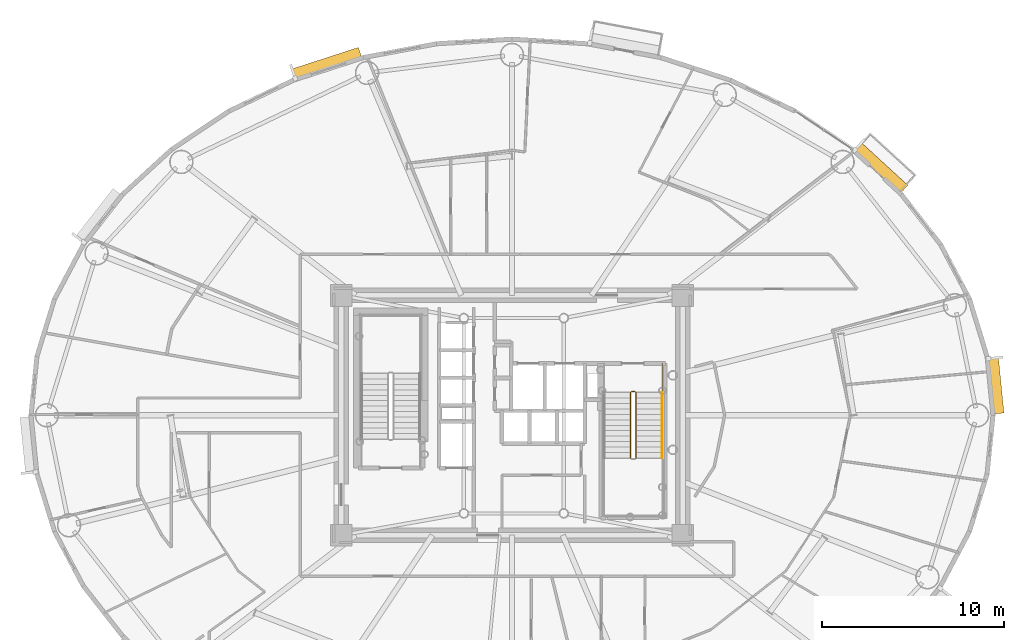
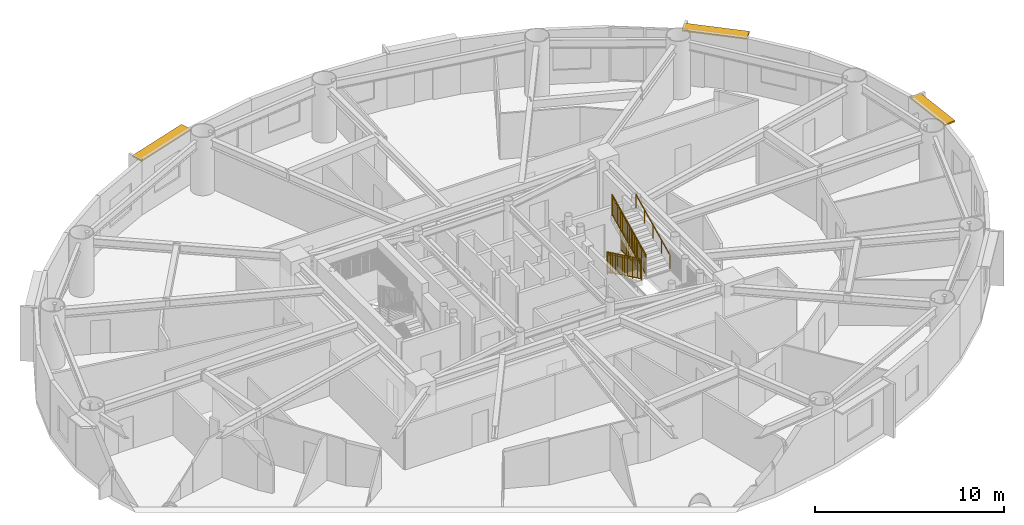
# One storey, part 20 of 21: 5 railings, 3 shading devices.
"""IFC4 building model written with IfcOpenShell, lengths in metres."""

from ifc_helpers import new_model, si_unit, direction, frame, origin, origin_2d, place, context, subcontext, project, spatial, rectangle, extrude, source, transform, mapped, material, layer, layer_set, type_object, element, save


model = new_model("IFC4")

# Units and contexts
model_context = context("Model", 3, precision=1e-05, world=origin(), true_north=direction((0.0, 1.0)))
body_context = subcontext(model_context, "Body", "Model", "MODEL_VIEW")
ifc_project = project(units=[si_unit("LENGTHUNIT", "METRE"), si_unit("AREAUNIT", "SQUARE_METRE"), si_unit("VOLUMEUNIT", "CUBIC_METRE"), si_unit("PLANEANGLEUNIT", "RADIAN"), si_unit("MASSUNIT", "GRAM", prefix="KILO")], contexts=[model_context])

# Site, building, storey
site_placement = place(None, origin())
site = spatial("IfcSite", under=ifc_project, at=site_placement, CompositionType="ELEMENT")
building_placement = place(site_placement, origin())
building = spatial("IfcBuilding", under=site, at=building_placement, Name="Linh Dai School and Residence Tower", CompositionType="ELEMENT")
storey_placement = place(building_placement, frame((0.0, 0.0, 189.89990234375)))
storey = spatial("IfcBuildingStorey", under=building, at=storey_placement, Name="L46", CompositionType="ELEMENT", Elevation=189.89990234375)

# Shading devices
ifc_material_1 = material(Name="Terracotta Ceramic Sunshade", Category="masonry")
ifc_layer = layer(ifc_material_1, 0.10009765625)
ifc_layer_set = layer_set([ifc_layer], Name="Terracotta Ceramic Sunshade")
shading_device_type = type_object("IfcShadingDeviceType", Name="SHD-TC-650", PredefinedType="USERDEFINED", material=ifc_layer_set)
shared_shape_1 = source(origin(), body_context, "Body", "SweptSolid", [
    extrude(rectangle(XDim=3.1201171875, YDim=0.64990234375, at=origin_2d()), origin(), (0.0, 0.0, 1.0), 0.10009765625),
])
shading_device_1_placement = place(storey_placement, frame((62.59619140625, 28.645263671875, 3.380126953125), z_axis=(0.0, 0.0, 1.0), x_axis=(0.100001796141, -0.994987256586, 0.0)))
element("IfcShadingDevice", 1, at=shading_device_1_placement, inside=storey, type_object=shading_device_type, Name="L46 Terracotta Horizontal Sunshade Band 01", ObjectType="SUNSHADE", PredefinedType="USERDEFINED", context=body_context, shape_type="MappedRepresentation", body=[
    mapped(shared_shape_1, transform((0.0, 0.0, 0.0), x_axis=(1.0, 0.0, 0.0), y_axis=(0.0, 1.0, 0.0), z_axis=(0.0, 0.0, 1.0), scale=1.0)),
])
shared_shape_2 = source(origin(), body_context, "Body", "SweptSolid", [
    extrude(rectangle(XDim=3.51171875, YDim=0.64990234375, at=origin_2d()), origin(), (0.0, 0.0, 1.0), 0.10009765625),
])
shading_device_2_placement = place(storey_placement, frame((56.272705078125, 40.604736328125, 3.380126953125), z_axis=(0.0, 0.0, 1.0), x_axis=(0.737085029426, -0.67580001435, 0.0)))
element("IfcShadingDevice", 2, at=shading_device_2_placement, inside=storey, type_object=shading_device_type, Name="L46 Terracotta Horizontal Sunshade Band 05", ObjectType="SUNSHADE", PredefinedType="USERDEFINED", context=body_context, shape_type="MappedRepresentation", body=[
    mapped(shared_shape_2, transform((0.0, 0.0, 0.0), x_axis=(1.0, 0.0, 0.0), y_axis=(0.0, 1.0, 0.0), z_axis=(0.0, 0.0, 1.0), scale=1.0)),
])
shared_shape_3 = source(origin(), body_context, "Body", "SweptSolid", [
    extrude(rectangle(XDim=3.876220703125, YDim=0.64990234375, at=origin_2d()), origin(), (0.0, 0.0, 1.0), 0.10009765625),
])
shading_device_3_placement = place(storey_placement, frame((25.802734375, 46.337646484375, 3.380126953125), z_axis=(0.0, 0.0, 1.0), x_axis=(0.951212761419, 0.308535707031, 0.0)))
element("IfcShadingDevice", 3, at=shading_device_3_placement, inside=storey, type_object=shading_device_type, Name="L46 Terracotta Horizontal Sunshade Band 13", ObjectType="SUNSHADE", PredefinedType="USERDEFINED", context=body_context, shape_type="MappedRepresentation", body=[
    mapped(shared_shape_3, transform((0.0, 0.0, 0.0), x_axis=(1.0, 0.0, 0.0), y_axis=(0.0, 1.0, 0.0), z_axis=(0.0, 0.0, 1.0), scale=1.0)),
])

# Railings
ifc_material_2 = material(Name="Structural Steel S355JR", Category="steel")
railing_type_1 = type_object("IfcRailingType", Name="RL-ST-GUARD-1400", PredefinedType="GUARDRAIL", material=ifc_material_2)
shared_shape_4 = source(origin(), body_context, "Body", "SweptSolid", [
    extrude(rectangle(XDim=0.048095703125, YDim=0.048095703125, at=origin_2d()), frame((0.0, 0.0, 1.3759765625), z_axis=(0.0, 0.901262522062, 0.433273431364), x_axis=(-1.0, 0.0, 0.0)), (0.0, 0.0, 1.0), 3.994384765625),
    extrude(rectangle(XDim=0.048095703125, YDim=0.048095703125, at=origin_2d()), frame((0.0, 0.0, 0.10009765625), z_axis=(0.0, 0.901262522062, 0.433273431364), x_axis=(-1.0, 0.0, 0.0)), (0.0, 0.0, 1.0), 3.994384765625),
    extrude(rectangle(XDim=0.030029296875, YDim=0.030029296875, at=origin_2d()), frame((0.0, 0.0, 1.239990234375), z_axis=(0.0, 0.901262522062, 0.433273431364), x_axis=(-1.0, 0.0, 0.0)), (0.0, 0.0, 1.0), 3.994384765625),
    extrude(rectangle(XDim=0.02001953125, YDim=0.02001953125, at=origin_2d()), frame((0.0, 0.087890625, 0.142333984375)), (0.0, 0.0, 1.0), 1.251708984375),
    extrude(rectangle(XDim=0.02001953125, YDim=0.02001953125, at=origin_2d()), frame((0.0, 0.175537109375, 0.1845703125)), (0.0, 0.0, 1.0), 1.251708984375),
    extrude(rectangle(XDim=0.02001953125, YDim=0.02001953125, at=origin_2d()), frame((0.0, 0.263427734375, 0.226806640625)), (0.0, 0.0, 1.0), 1.251708984375),
    extrude(rectangle(XDim=0.02001953125, YDim=0.02001953125, at=origin_2d()), frame((0.0, 0.351318359375, 0.26904296875)), (0.0, 0.0, 1.0), 1.251708984375),
    extrude(rectangle(XDim=0.02001953125, YDim=0.02001953125, at=origin_2d()), frame((0.0, 0.43896484375, 0.311279296875)), (0.0, 0.0, 1.0), 1.251708984375),
    extrude(rectangle(XDim=0.02001953125, YDim=0.02001953125, at=origin_2d()), frame((0.0, 0.52685546875, 0.353271484375)), (0.0, 0.0, 1.0), 1.251708984375),
    extrude(rectangle(XDim=0.02001953125, YDim=0.02001953125, at=origin_2d()), frame((0.0, 0.61474609375, 0.3955078125)), (0.0, 0.0, 1.0), 1.251708984375),
    extrude(rectangle(XDim=0.02001953125, YDim=0.02001953125, at=origin_2d()), frame((0.0, 0.702392578125, 0.437744140625)), (0.0, 0.0, 1.0), 1.251708984375),
    extrude(rectangle(XDim=0.02001953125, YDim=0.02001953125, at=origin_2d()), frame((0.0, 0.790283203125, 0.47998046875)), (0.0, 0.0, 1.0), 1.251708984375),
    extrude(rectangle(XDim=0.02001953125, YDim=0.02001953125, at=origin_2d()), frame((0.0, 0.9658203125, 0.564453125)), (0.0, 0.0, 1.0), 1.251708984375),
    extrude(rectangle(XDim=0.02001953125, YDim=0.02001953125, at=origin_2d()), frame((0.0, 1.0537109375, 0.606689453125)), (0.0, 0.0, 1.0), 1.251708984375),
    extrude(rectangle(XDim=0.02001953125, YDim=0.02001953125, at=origin_2d()), frame((0.0, 1.1416015625, 0.64892578125)), (0.0, 0.0, 1.0), 1.251708984375),
    extrude(rectangle(XDim=0.02001953125, YDim=0.02001953125, at=origin_2d()), frame((0.0, 1.229248046875, 0.691162109375)), (0.0, 0.0, 1.0), 1.251708984375),
    extrude(rectangle(XDim=0.02001953125, YDim=0.02001953125, at=origin_2d()), frame((0.0, 1.317138671875, 0.7333984375)), (0.0, 0.0, 1.0), 1.251708984375),
    extrude(rectangle(XDim=0.02001953125, YDim=0.02001953125, at=origin_2d()), frame((0.0, 1.405029296875, 0.775390625)), (0.0, 0.0, 1.0), 1.251708984375),
    extrude(rectangle(XDim=0.02001953125, YDim=0.02001953125, at=origin_2d()), frame((0.0, 1.49267578125, 0.817626953125)), (0.0, 0.0, 1.0), 1.251708984375),
    extrude(rectangle(XDim=0.02001953125, YDim=0.02001953125, at=origin_2d()), frame((0.0, 1.58056640625, 0.85986328125)), (0.0, 0.0, 1.0), 1.251708984375),
    extrude(rectangle(XDim=0.02001953125, YDim=0.02001953125, at=origin_2d()), frame((0.0, 1.66845703125, 0.902099609375)), (0.0, 0.0, 1.0), 1.251708984375),
    extrude(rectangle(XDim=0.02001953125, YDim=0.02001953125, at=origin_2d()), frame((0.0, 1.756103515625, 0.9443359375)), (0.0, 0.0, 1.0), 1.251708984375),
    extrude(rectangle(XDim=0.02001953125, YDim=0.02001953125, at=origin_2d()), frame((0.0, 1.843994140625, 0.986572265625)), (0.0, 0.0, 1.0), 1.251708984375),
    extrude(rectangle(XDim=0.02001953125, YDim=0.02001953125, at=origin_2d()), frame((0.0, 1.931640625, 1.02880859375)), (0.0, 0.0, 1.0), 1.251708984375),
    extrude(rectangle(XDim=0.02001953125, YDim=0.02001953125, at=origin_2d()), frame((0.0, 2.01953125, 1.071044921875)), (0.0, 0.0, 1.0), 1.251708984375),
    extrude(rectangle(XDim=0.02001953125, YDim=0.02001953125, at=origin_2d()), frame((0.0, 2.107421875, 1.11328125)), (0.0, 0.0, 1.0), 1.251708984375),
    extrude(rectangle(XDim=0.02001953125, YDim=0.02001953125, at=origin_2d()), frame((0.0, 2.195068359375, 1.155517578125)), (0.0, 0.0, 1.0), 1.251708984375),
    extrude(rectangle(XDim=0.02001953125, YDim=0.02001953125, at=origin_2d()), frame((0.0, 2.282958984375, 1.197509765625)), (0.0, 0.0, 1.0), 1.251708984375),
    extrude(rectangle(XDim=0.02001953125, YDim=0.02001953125, at=origin_2d()), frame((0.0, 2.370849609375, 1.23974609375)), (0.0, 0.0, 1.0), 1.251708984375),
    extrude(rectangle(XDim=0.02001953125, YDim=0.02001953125, at=origin_2d()), frame((0.0, 2.45849609375, 1.281982421875)), (0.0, 0.0, 1.0), 1.251708984375),
    extrude(rectangle(XDim=0.02001953125, YDim=0.02001953125, at=origin_2d()), frame((0.0, 2.54638671875, 1.32421875)), (0.0, 0.0, 1.0), 1.251708984375),
    extrude(rectangle(XDim=0.02001953125, YDim=0.02001953125, at=origin_2d()), frame((0.0, 2.63427734375, 1.366455078125)), (0.0, 0.0, 1.0), 1.251708984375),
    extrude(rectangle(XDim=0.02001953125, YDim=0.02001953125, at=origin_2d()), frame((0.0, 2.809814453125, 1.450927734375)), (0.0, 0.0, 1.0), 1.251708984375),
    extrude(rectangle(XDim=0.02001953125, YDim=0.02001953125, at=origin_2d()), frame((0.0, 2.897705078125, 1.4931640625)), (0.0, 0.0, 1.0), 1.251708984375),
    extrude(rectangle(XDim=0.02001953125, YDim=0.02001953125, at=origin_2d()), frame((0.0, 2.9853515625, 1.535400390625)), (0.0, 0.0, 1.0), 1.251708984375),
    extrude(rectangle(XDim=0.02001953125, YDim=0.02001953125, at=origin_2d()), frame((0.0, 3.0732421875, 1.57763671875)), (0.0, 0.0, 1.0), 1.251708984375),
    extrude(rectangle(XDim=0.02001953125, YDim=0.02001953125, at=origin_2d()), frame((0.0, 3.1611328125, 1.61962890625)), (0.0, 0.0, 1.0), 1.251708984375),
    extrude(rectangle(XDim=0.02001953125, YDim=0.02001953125, at=origin_2d()), frame((0.0, 3.248779296875, 1.661865234375)), (0.0, 0.0, 1.0), 1.251708984375),
    extrude(rectangle(XDim=0.02001953125, YDim=0.02001953125, at=origin_2d()), frame((0.0, 3.336669921875, 1.7041015625)), (0.0, 0.0, 1.0), 1.251708984375),
    extrude(rectangle(XDim=0.02001953125, YDim=0.02001953125, at=origin_2d()), frame((0.0, 3.424560546875, 1.746337890625)), (0.0, 0.0, 1.0), 1.251708984375),
    extrude(rectangle(XDim=0.02001953125, YDim=0.02001953125, at=origin_2d()), frame((0.0, 3.51220703125, 1.78857421875)), (0.0, 0.0, 1.0), 1.251708984375),
    extrude(rectangle(XDim=0.0419921875, YDim=0.0419921875, at=origin_2d()), origin(), (0.0, 0.0, 1.0), 1.3759765625),
    extrude(rectangle(XDim=0.0419921875, YDim=0.0419921875, at=origin_2d()), frame((0.0, 0.89990234375, 0.4326171875)), (0.0, 0.0, 1.0), 1.3759765625),
    extrude(rectangle(XDim=0.0419921875, YDim=0.0419921875, at=origin_2d()), frame((0.0, 1.800048828125, 0.865234375)), (0.0, 0.0, 1.0), 1.3759765625),
    extrude(rectangle(XDim=0.0419921875, YDim=0.0419921875, at=origin_2d()), frame((0.0, 2.7001953125, 1.298095703125)), (0.0, 0.0, 1.0), 1.3759765625),
    extrude(rectangle(XDim=0.0419921875, YDim=0.0419921875, at=origin_2d()), frame((0.0, 3.60009765625, 1.730712890625)), (0.0, 0.0, 1.0), 1.3759765625),
])
railing_1_placement = place(storey_placement, frame((42.820068359375, 24.64990234375, 2.019287109375)))
element("IfcRailing", 4, at=railing_1_placement, inside=storey, type_object=railing_type_1, Name="L46 ST2 stair guard 6", PredefinedType="GUARDRAIL", context=body_context, shape_type="MappedRepresentation", body=[
    mapped(shared_shape_4, transform((0.0, 0.0, 0.0), x_axis=(1.0, 0.0, 0.0), y_axis=(0.0, 1.0, 0.0), z_axis=(0.0, 0.0, 1.0), scale=1.0)),
])
shared_shape_5 = source(origin(), body_context, "Body", "SweptSolid", [
    extrude(rectangle(XDim=0.048095703125, YDim=0.048095703125, at=origin_2d()), frame((0.0, 0.0, 1.3759765625), z_axis=(0.0, -0.901262522062, 0.433273431364), x_axis=(1.0, 0.0, 0.0)), (0.0, 0.0, 1.0), 3.994384765625),
    extrude(rectangle(XDim=0.048095703125, YDim=0.048095703125, at=origin_2d()), frame((0.0, 0.0, 0.10009765625), z_axis=(0.0, -0.901262522062, 0.433273431364), x_axis=(1.0, 0.0, 0.0)), (0.0, 0.0, 1.0), 3.994384765625),
    extrude(rectangle(XDim=0.030029296875, YDim=0.030029296875, at=origin_2d()), frame((0.0, 0.0, 1.239990234375), z_axis=(0.0, -0.901262522062, 0.433273431364), x_axis=(1.0, 0.0, 0.0)), (0.0, 0.0, 1.0), 3.994384765625),
    extrude(rectangle(XDim=0.02001953125, YDim=0.02001953125, at=origin_2d()), frame((0.0, -0.087890625, 0.142333984375)), (0.0, 0.0, 1.0), 1.251708984375),
    extrude(rectangle(XDim=0.02001953125, YDim=0.02001953125, at=origin_2d()), frame((0.0, -0.175537109375, 0.1845703125)), (0.0, 0.0, 1.0), 1.251708984375),
    extrude(rectangle(XDim=0.02001953125, YDim=0.02001953125, at=origin_2d()), frame((0.0, -0.263427734375, 0.226806640625)), (0.0, 0.0, 1.0), 1.251708984375),
    extrude(rectangle(XDim=0.02001953125, YDim=0.02001953125, at=origin_2d()), frame((0.0, -0.351318359375, 0.26904296875)), (0.0, 0.0, 1.0), 1.251708984375),
    extrude(rectangle(XDim=0.02001953125, YDim=0.02001953125, at=origin_2d()), frame((0.0, -0.43896484375, 0.311279296875)), (0.0, 0.0, 1.0), 1.251708984375),
    extrude(rectangle(XDim=0.02001953125, YDim=0.02001953125, at=origin_2d()), frame((0.0, -0.52685546875, 0.353271484375)), (0.0, 0.0, 1.0), 1.251708984375),
    extrude(rectangle(XDim=0.02001953125, YDim=0.02001953125, at=origin_2d()), frame((0.0, -0.61474609375, 0.3955078125)), (0.0, 0.0, 1.0), 1.251708984375),
    extrude(rectangle(XDim=0.02001953125, YDim=0.02001953125, at=origin_2d()), frame((0.0, -0.702392578125, 0.437744140625)), (0.0, 0.0, 1.0), 1.251708984375),
    extrude(rectangle(XDim=0.02001953125, YDim=0.02001953125, at=origin_2d()), frame((0.0, -0.790283203125, 0.47998046875)), (0.0, 0.0, 1.0), 1.251708984375),
    extrude(rectangle(XDim=0.02001953125, YDim=0.02001953125, at=origin_2d()), frame((0.0, -0.9658203125, 0.564453125)), (0.0, 0.0, 1.0), 1.251708984375),
    extrude(rectangle(XDim=0.02001953125, YDim=0.02001953125, at=origin_2d()), frame((0.0, -1.0537109375, 0.606689453125)), (0.0, 0.0, 1.0), 1.251708984375),
    extrude(rectangle(XDim=0.02001953125, YDim=0.02001953125, at=origin_2d()), frame((0.0, -1.1416015625, 0.64892578125)), (0.0, 0.0, 1.0), 1.251708984375),
    extrude(rectangle(XDim=0.02001953125, YDim=0.02001953125, at=origin_2d()), frame((0.0, -1.229248046875, 0.691162109375)), (0.0, 0.0, 1.0), 1.251708984375),
    extrude(rectangle(XDim=0.02001953125, YDim=0.02001953125, at=origin_2d()), frame((0.0, -1.317138671875, 0.7333984375)), (0.0, 0.0, 1.0), 1.251708984375),
    extrude(rectangle(XDim=0.02001953125, YDim=0.02001953125, at=origin_2d()), frame((0.0, -1.405029296875, 0.775390625)), (0.0, 0.0, 1.0), 1.251708984375),
    extrude(rectangle(XDim=0.02001953125, YDim=0.02001953125, at=origin_2d()), frame((0.0, -1.49267578125, 0.817626953125)), (0.0, 0.0, 1.0), 1.251708984375),
    extrude(rectangle(XDim=0.02001953125, YDim=0.02001953125, at=origin_2d()), frame((0.0, -1.58056640625, 0.85986328125)), (0.0, 0.0, 1.0), 1.251708984375),
    extrude(rectangle(XDim=0.02001953125, YDim=0.02001953125, at=origin_2d()), frame((0.0, -1.66845703125, 0.902099609375)), (0.0, 0.0, 1.0), 1.251708984375),
    extrude(rectangle(XDim=0.02001953125, YDim=0.02001953125, at=origin_2d()), frame((0.0, -1.756103515625, 0.9443359375)), (0.0, 0.0, 1.0), 1.251708984375),
    extrude(rectangle(XDim=0.02001953125, YDim=0.02001953125, at=origin_2d()), frame((0.0, -1.843994140625, 0.986572265625)), (0.0, 0.0, 1.0), 1.251708984375),
    extrude(rectangle(XDim=0.02001953125, YDim=0.02001953125, at=origin_2d()), frame((0.0, -1.931640625, 1.02880859375)), (0.0, 0.0, 1.0), 1.251708984375),
    extrude(rectangle(XDim=0.02001953125, YDim=0.02001953125, at=origin_2d()), frame((0.0, -2.01953125, 1.071044921875)), (0.0, 0.0, 1.0), 1.251708984375),
    extrude(rectangle(XDim=0.02001953125, YDim=0.02001953125, at=origin_2d()), frame((0.0, -2.107421875, 1.11328125)), (0.0, 0.0, 1.0), 1.251708984375),
    extrude(rectangle(XDim=0.02001953125, YDim=0.02001953125, at=origin_2d()), frame((0.0, -2.195068359375, 1.155517578125)), (0.0, 0.0, 1.0), 1.251708984375),
    extrude(rectangle(XDim=0.02001953125, YDim=0.02001953125, at=origin_2d()), frame((0.0, -2.282958984375, 1.197509765625)), (0.0, 0.0, 1.0), 1.251708984375),
    extrude(rectangle(XDim=0.02001953125, YDim=0.02001953125, at=origin_2d()), frame((0.0, -2.370849609375, 1.23974609375)), (0.0, 0.0, 1.0), 1.251708984375),
    extrude(rectangle(XDim=0.02001953125, YDim=0.02001953125, at=origin_2d()), frame((0.0, -2.45849609375, 1.281982421875)), (0.0, 0.0, 1.0), 1.251708984375),
    extrude(rectangle(XDim=0.02001953125, YDim=0.02001953125, at=origin_2d()), frame((0.0, -2.54638671875, 1.32421875)), (0.0, 0.0, 1.0), 1.251708984375),
    extrude(rectangle(XDim=0.02001953125, YDim=0.02001953125, at=origin_2d()), frame((0.0, -2.63427734375, 1.366455078125)), (0.0, 0.0, 1.0), 1.251708984375),
    extrude(rectangle(XDim=0.02001953125, YDim=0.02001953125, at=origin_2d()), frame((0.0, -2.809814453125, 1.450927734375)), (0.0, 0.0, 1.0), 1.251708984375),
    extrude(rectangle(XDim=0.02001953125, YDim=0.02001953125, at=origin_2d()), frame((0.0, -2.897705078125, 1.4931640625)), (0.0, 0.0, 1.0), 1.251708984375),
    extrude(rectangle(XDim=0.02001953125, YDim=0.02001953125, at=origin_2d()), frame((0.0, -2.9853515625, 1.535400390625)), (0.0, 0.0, 1.0), 1.251708984375),
    extrude(rectangle(XDim=0.02001953125, YDim=0.02001953125, at=origin_2d()), frame((0.0, -3.0732421875, 1.57763671875)), (0.0, 0.0, 1.0), 1.251708984375),
    extrude(rectangle(XDim=0.02001953125, YDim=0.02001953125, at=origin_2d()), frame((0.0, -3.1611328125, 1.61962890625)), (0.0, 0.0, 1.0), 1.251708984375),
    extrude(rectangle(XDim=0.02001953125, YDim=0.02001953125, at=origin_2d()), frame((0.0, -3.248779296875, 1.661865234375)), (0.0, 0.0, 1.0), 1.251708984375),
    extrude(rectangle(XDim=0.02001953125, YDim=0.02001953125, at=origin_2d()), frame((0.0, -3.336669921875, 1.7041015625)), (0.0, 0.0, 1.0), 1.251708984375),
    extrude(rectangle(XDim=0.02001953125, YDim=0.02001953125, at=origin_2d()), frame((0.0, -3.424560546875, 1.746337890625)), (0.0, 0.0, 1.0), 1.251708984375),
    extrude(rectangle(XDim=0.02001953125, YDim=0.02001953125, at=origin_2d()), frame((0.0, -3.51220703125, 1.78857421875)), (0.0, 0.0, 1.0), 1.251708984375),
    extrude(rectangle(XDim=0.0419921875, YDim=0.0419921875, at=origin_2d()), origin(), (0.0, 0.0, 1.0), 1.3759765625),
    extrude(rectangle(XDim=0.0419921875, YDim=0.0419921875, at=origin_2d()), frame((0.0, -0.89990234375, 0.4326171875)), (0.0, 0.0, 1.0), 1.3759765625),
    extrude(rectangle(XDim=0.0419921875, YDim=0.0419921875, at=origin_2d()), frame((0.0, -1.800048828125, 0.865234375)), (0.0, 0.0, 1.0), 1.3759765625),
    extrude(rectangle(XDim=0.0419921875, YDim=0.0419921875, at=origin_2d()), frame((0.0, -2.7001953125, 1.298095703125)), (0.0, 0.0, 1.0), 1.3759765625),
    extrude(rectangle(XDim=0.0419921875, YDim=0.0419921875, at=origin_2d()), frame((0.0, -3.60009765625, 1.730712890625)), (0.0, 0.0, 1.0), 1.3759765625),
])
railing_2_placement = place(storey_placement, frame((42.52001953125, 28.25, 0.144287109375)))
element("IfcRailing", 5, at=railing_2_placement, inside=storey, type_object=railing_type_1, Name="L46 ST2 stair guard 1", PredefinedType="GUARDRAIL", context=body_context, shape_type="MappedRepresentation", body=[
    mapped(shared_shape_5, transform((0.0, 0.0, 0.0), x_axis=(1.0, 0.0, 0.0), y_axis=(0.0, 1.0, 0.0), z_axis=(0.0, 0.0, 1.0), scale=1.0)),
])
ifc_material_3 = material(Name="Brushed Stainless Steel Handrail", Category="steel")
railing_type_2 = type_object("IfcRailingType", Name="RL-ST-HANDRAIL-900", PredefinedType="HANDRAIL", material=ifc_material_3)
shared_shape_6 = source(origin(), body_context, "Body", "SweptSolid", [
    extrude(rectangle(XDim=0.048095703125, YDim=0.048095703125, at=origin_2d()), frame((0.0, 0.0, 0.8759765625), z_axis=(0.0, 0.901262522062, 0.433273431364), x_axis=(-1.0, 0.0, 0.0)), (0.0, 0.0, 1.0), 3.994384765625),
    extrude(rectangle(XDim=0.0419921875, YDim=0.0419921875, at=origin_2d()), origin(), (0.0, 0.0, 1.0), 0.8759765625),
    extrude(rectangle(XDim=0.0419921875, YDim=0.0419921875, at=origin_2d()), frame((0.0, 0.89990234375, 0.4326171875)), (0.0, 0.0, 1.0), 0.8759765625),
    extrude(rectangle(XDim=0.0419921875, YDim=0.0419921875, at=origin_2d()), frame((0.0, 1.800048828125, 0.865234375)), (0.0, 0.0, 1.0), 0.8759765625),
    extrude(rectangle(XDim=0.0419921875, YDim=0.0419921875, at=origin_2d()), frame((0.0, 2.7001953125, 1.298095703125)), (0.0, 0.0, 1.0), 0.8759765625),
    extrude(rectangle(XDim=0.0419921875, YDim=0.0419921875, at=origin_2d()), frame((0.0, 3.60009765625, 1.730712890625)), (0.0, 0.0, 1.0), 0.8759765625),
])
railing_3_placement = place(storey_placement, frame((44.27001953125, 24.64990234375, 2.019287109375)))
element("IfcRailing", 6, at=railing_3_placement, inside=storey, type_object=railing_type_2, Name="L46 ST2 stair handrail 2", PredefinedType="HANDRAIL", context=body_context, shape_type="MappedRepresentation", body=[
    mapped(shared_shape_6, transform((0.0, 0.0, 0.0), x_axis=(1.0, 0.0, 0.0), y_axis=(0.0, 1.0, 0.0), z_axis=(0.0, 0.0, 1.0), scale=1.0)),
])
shared_shape_7 = source(origin(), body_context, "Body", "SweptSolid", [
    extrude(rectangle(XDim=0.048095703125, YDim=0.048095703125, at=origin_2d()), frame((0.0, 0.0, 1.3759765625), z_axis=(1.0, 0.0, 0.0), x_axis=(0.0, 1.0, 0.0)), (0.0, 0.0, 1.0), 0.199951171875),
    extrude(rectangle(XDim=0.048095703125, YDim=0.048095703125, at=origin_2d()), frame((0.0, 0.0, 0.10009765625), z_axis=(1.0, 0.0, 0.0), x_axis=(0.0, 1.0, 0.0)), (0.0, 0.0, 1.0), 0.199951171875),
    extrude(rectangle(XDim=0.030029296875, YDim=0.030029296875, at=origin_2d()), frame((0.0, 0.0, 1.239990234375), z_axis=(1.0, 0.0, 0.0), x_axis=(0.0, 1.0, 0.0)), (0.0, 0.0, 1.0), 0.199951171875),
    extrude(rectangle(XDim=0.0419921875, YDim=0.0419921875, at=origin_2d()), origin(), (0.0, 0.0, 1.0), 1.3759765625),
    extrude(rectangle(XDim=0.0419921875, YDim=0.0419921875, at=origin_2d()), frame((0.199951171875, 0.0, 0.0)), (0.0, 0.0, 1.0), 1.3759765625),
])
railing_4_placement = place(storey_placement, frame((42.570068359375, 28.300048828125, 0.0)))
element("IfcRailing", 7, at=railing_4_placement, inside=storey, type_object=railing_type_1, Name="L46 ST2 stair guard 7", PredefinedType="GUARDRAIL", context=body_context, shape_type="MappedRepresentation", body=[
    mapped(shared_shape_7, transform((0.0, 0.0, 0.0), x_axis=(1.0, 0.0, 0.0), y_axis=(0.0, 1.0, 0.0), z_axis=(0.0, 0.0, 1.0), scale=1.0)),
])
shared_shape_8 = source(origin(), body_context, "Body", "SweptSolid", [
    extrude(rectangle(XDim=0.048095703125, YDim=0.048095703125, at=origin_2d()), frame((0.0, 0.0, 1.3759765625), z_axis=(0.0, -1.0, 0.0), x_axis=(1.0, 0.0, 0.0)), (0.0, 0.0, 1.0), 1.60009765625),
    extrude(rectangle(XDim=0.048095703125, YDim=0.048095703125, at=origin_2d()), frame((0.0, 0.0, 0.10009765625), z_axis=(0.0, -1.0, 0.0), x_axis=(1.0, 0.0, 0.0)), (0.0, 0.0, 1.0), 1.60009765625),
    extrude(rectangle(XDim=0.030029296875, YDim=0.030029296875, at=origin_2d()), frame((0.0, 0.0, 1.239990234375), z_axis=(0.0, -1.0, 0.0), x_axis=(1.0, 0.0, 0.0)), (0.0, 0.0, 1.0), 1.60009765625),
    extrude(rectangle(XDim=0.02001953125, YDim=0.02001953125, at=origin_2d()), frame((0.0, -0.09423828125, 0.10009765625)), (0.0, 0.0, 1.0), 1.251708984375),
    extrude(rectangle(XDim=0.02001953125, YDim=0.02001953125, at=origin_2d()), frame((0.0, -0.188232421875, 0.10009765625)), (0.0, 0.0, 1.0), 1.251708984375),
    extrude(rectangle(XDim=0.02001953125, YDim=0.02001953125, at=origin_2d()), frame((0.0, -0.282470703125, 0.10009765625)), (0.0, 0.0, 1.0), 1.251708984375),
    extrude(rectangle(XDim=0.02001953125, YDim=0.02001953125, at=origin_2d()), frame((0.0, -0.37646484375, 0.10009765625)), (0.0, 0.0, 1.0), 1.251708984375),
    extrude(rectangle(XDim=0.02001953125, YDim=0.02001953125, at=origin_2d()), frame((0.0, -0.470703125, 0.10009765625)), (0.0, 0.0, 1.0), 1.251708984375),
    extrude(rectangle(XDim=0.02001953125, YDim=0.02001953125, at=origin_2d()), frame((0.0, -0.564697265625, 0.10009765625)), (0.0, 0.0, 1.0), 1.251708984375),
    extrude(rectangle(XDim=0.02001953125, YDim=0.02001953125, at=origin_2d()), frame((0.0, -0.658935546875, 0.10009765625)), (0.0, 0.0, 1.0), 1.251708984375),
    extrude(rectangle(XDim=0.02001953125, YDim=0.02001953125, at=origin_2d()), frame((0.0, -0.7529296875, 0.10009765625)), (0.0, 0.0, 1.0), 1.251708984375),
    extrude(rectangle(XDim=0.02001953125, YDim=0.02001953125, at=origin_2d()), frame((0.0, -0.84716796875, 0.10009765625)), (0.0, 0.0, 1.0), 1.251708984375),
    extrude(rectangle(XDim=0.02001953125, YDim=0.02001953125, at=origin_2d()), frame((0.0, -0.941162109375, 0.10009765625)), (0.0, 0.0, 1.0), 1.251708984375),
    extrude(rectangle(XDim=0.02001953125, YDim=0.02001953125, at=origin_2d()), frame((0.0, -1.035400390625, 0.10009765625)), (0.0, 0.0, 1.0), 1.251708984375),
    extrude(rectangle(XDim=0.02001953125, YDim=0.02001953125, at=origin_2d()), frame((0.0, -1.12939453125, 0.10009765625)), (0.0, 0.0, 1.0), 1.251708984375),
    extrude(rectangle(XDim=0.02001953125, YDim=0.02001953125, at=origin_2d()), frame((0.0, -1.2236328125, 0.10009765625)), (0.0, 0.0, 1.0), 1.251708984375),
    extrude(rectangle(XDim=0.02001953125, YDim=0.02001953125, at=origin_2d()), frame((0.0, -1.317626953125, 0.10009765625)), (0.0, 0.0, 1.0), 1.251708984375),
    extrude(rectangle(XDim=0.02001953125, YDim=0.02001953125, at=origin_2d()), frame((0.0, -1.411865234375, 0.10009765625)), (0.0, 0.0, 1.0), 1.251708984375),
    extrude(rectangle(XDim=0.02001953125, YDim=0.02001953125, at=origin_2d()), frame((0.0, -1.505859375, 0.10009765625)), (0.0, 0.0, 1.0), 1.251708984375),
    extrude(rectangle(XDim=0.0419921875, YDim=0.0419921875, at=origin_2d()), origin(), (0.0, 0.0, 1.0), 1.3759765625),
    extrude(rectangle(XDim=0.0419921875, YDim=0.0419921875, at=origin_2d()), frame((0.0, -0.800048828125, 0.0)), (0.0, 0.0, 1.0), 1.3759765625),
    extrude(rectangle(XDim=0.0419921875, YDim=0.0419921875, at=origin_2d()), frame((0.0, -1.60009765625, 0.0)), (0.0, 0.0, 1.0), 1.3759765625),
])
railing_5_placement = place(storey_placement, frame((44.27001953125, 29.85009765625, 0.0)))
element("IfcRailing", 8, at=railing_5_placement, inside=storey, type_object=railing_type_1, Name="L46 ST2 stair guard 9", PredefinedType="GUARDRAIL", context=body_context, shape_type="MappedRepresentation", body=[
    mapped(shared_shape_8, transform((0.0, 0.0, 0.0), x_axis=(1.0, 0.0, 0.0), y_axis=(0.0, 1.0, 0.0), z_axis=(0.0, 0.0, 1.0), scale=1.0)),
])

save(model, "model.ifc")
